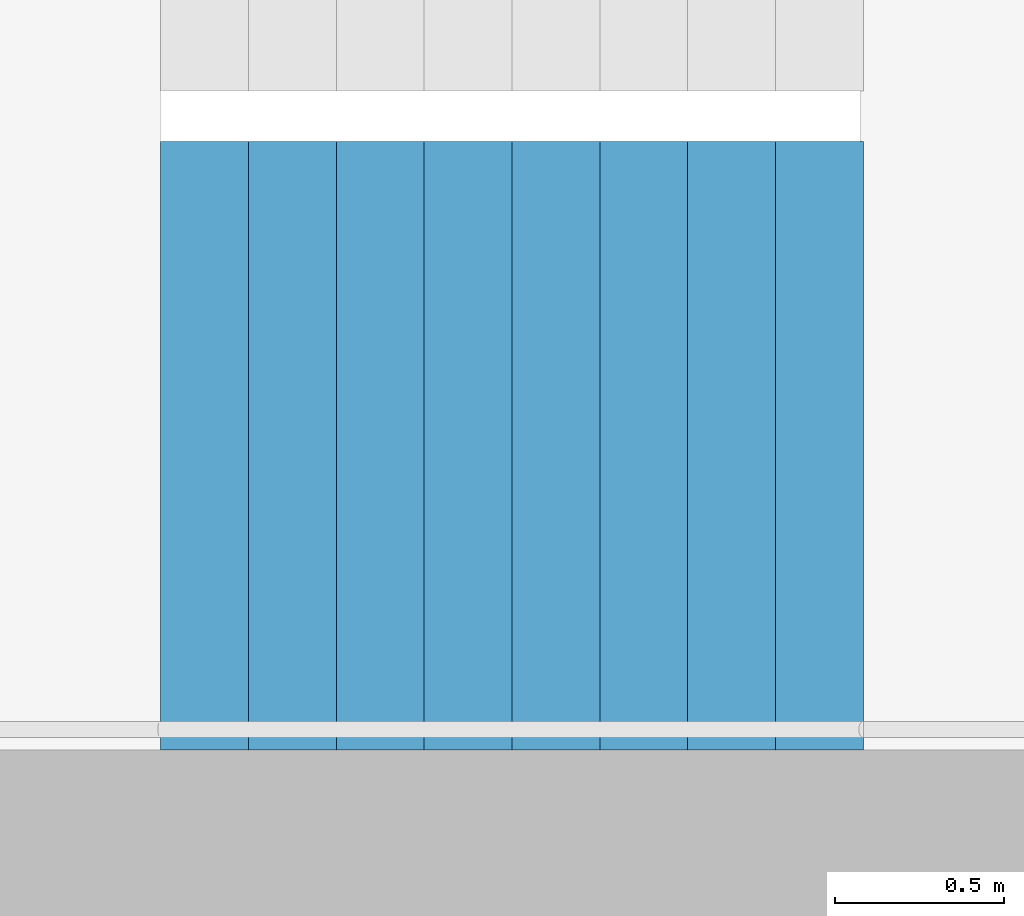
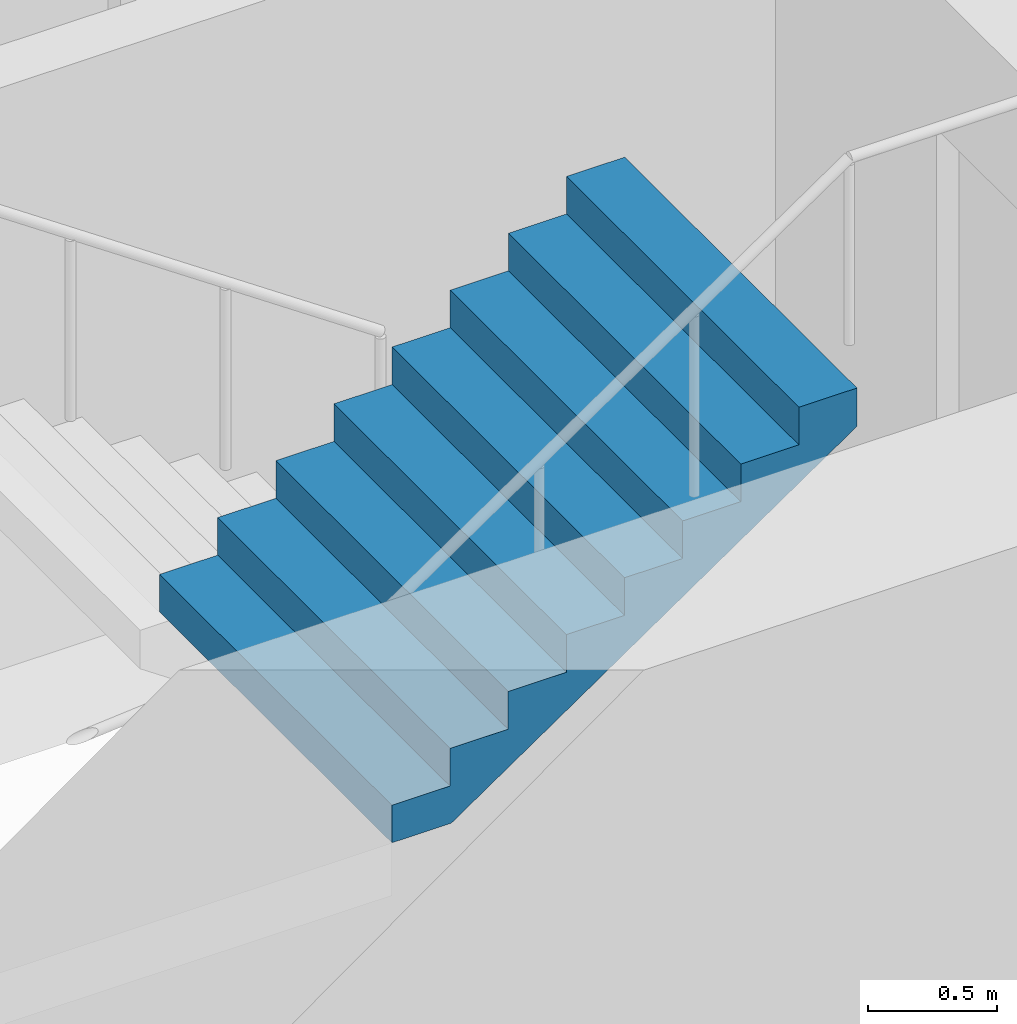
# One storey, part 19 of 27: 1 stair flight, 1 element without a shape of its own.
"""IFC4 building model written with IfcOpenShell, lengths in metres."""

from ifc_helpers import new_model, si_unit, direction, frame, origin, place, context, subcontext, project, spatial, triangles, material, type_object, element, aggregate, save


model = new_model("IFC4")

# Units and contexts
model_context = context("Model", 3, precision=1e-05, world=origin(), true_north=direction((0.0, 1.0)))
body_context = subcontext(model_context, "Body", "Model", "MODEL_VIEW")
ifc_project = project(units=[si_unit("LENGTHUNIT", "METRE"), si_unit("AREAUNIT", "SQUARE_METRE"), si_unit("VOLUMEUNIT", "CUBIC_METRE"), si_unit("PLANEANGLEUNIT", "RADIAN"), si_unit("MASSUNIT", "GRAM", prefix="KILO")], contexts=[model_context])

# Site, building, storey
site_placement = place(None, origin())
site = spatial("IfcSite", under=ifc_project, at=site_placement, CompositionType="ELEMENT")
building_placement = place(site_placement, origin())
building = spatial("IfcBuilding", under=site, at=building_placement, Name="Hakoniwa Tower and Hamabe Station Hall", CompositionType="ELEMENT")
storey_placement = place(building_placement, frame((0.0, 0.0, 261.39990234375)))
storey = spatial("IfcBuildingStorey", under=building, at=storey_placement, Name="L74", CompositionType="ELEMENT", Elevation=261.39990234375)

# Stair, stair flight
ifc_material_1 = material(Name="Concrete C40", Category="concrete")
stair_type = type_object("IfcStairType", Name="ESCAPE STAIR 1800", PredefinedType="HALF_TURN_STAIR", material=ifc_material_1)
stair_placement = place(storey_placement, origin())
stair = element("IfcStair", 1, at=stair_placement, inside=storey, type_object=stair_type, Name="Escape stair ST-2 L74", PredefinedType="HALF_TURN_STAIR")
ifc_material_2 = material(Name="Concrete C40", Category="concrete")
stair_flight_type = type_object("IfcStairFlightType", Name="STAIR FLIGHT 1800", PredefinedType="STRAIGHT", material=ifc_material_2)
stair_flight_placement = place(storey_placement, frame((-25.47998046875, -6.60009765625, 1.60009765625), z_axis=(0.0, 0.0, 1.0), x_axis=(1.0, 0.0, 0.0)))
stair_flight = element("IfcStairFlight", 2, at=stair_flight_placement, type_object=stair_flight_type, Name="ST-2 flight 2", NumberOfRisers=9, NumberOfTreads=8, PredefinedType="STRAIGHT", RiserHeight=0.177777778, TreadLength=0.26, context=body_context, shape_type="Tessellation", body=[
    triangles([(0.0, 0.89990234375, 0.0), (0.260009765625, 0.89990234375, 0.0), (0.265625, 0.89990234375, 0.0), (0.52001953125, 0.89990234375, 0.174072265625), (0.780029296875, 0.89990234375, 0.351806640625), (1.0400390625, 0.89990234375, 0.529541015625), (1.300048828125, 0.89990234375, 0.707275390625), (1.56005859375, 0.89990234375, 0.885009765625), (1.820068359375, 0.89990234375, 1.062744140625), (2.080078125, 0.89990234375, 1.24072265625), (2.080078125, 0.89990234375, 1.422119140625), (1.820068359375, 0.89990234375, 1.422119140625), (1.820068359375, 0.89990234375, 1.244384765625), (1.56005859375, 0.89990234375, 1.244384765625), (1.56005859375, 0.89990234375, 1.066650390625), (1.300048828125, 0.89990234375, 1.066650390625), (1.300048828125, 0.89990234375, 0.888916015625), (1.0400390625, 0.89990234375, 0.888916015625), (1.0400390625, 0.89990234375, 0.711181640625), (0.780029296875, 0.89990234375, 0.711181640625), (0.780029296875, 0.89990234375, 0.533447265625), (0.52001953125, 0.89990234375, 0.533447265625), (0.52001953125, 0.89990234375, 0.35546875), (0.265625, 0.89990234375, 0.35546875), (0.260009765625, 0.89990234375, 0.35546875), (0.260009765625, 0.89990234375, 0.177734375), (0.0, 0.89990234375, 0.177734375), (0.0, 0.06005859375, 0.0), (0.260009765625, 0.06005859375, 0.0), (0.265625, 0.06005859375, 0.0), (0.52001953125, 0.06005859375, 0.174072265625), (0.780029296875, 0.06005859375, 0.351806640625), (1.0400390625, 0.06005859375, 0.529541015625), (1.300048828125, 0.06005859375, 0.707275390625), (1.56005859375, 0.06005859375, 0.885009765625), (1.820068359375, 0.06005859375, 1.062744140625), (2.080078125, 0.06005859375, 1.24072265625), (2.080078125, 0.06005859375, 1.422119140625), (1.820068359375, 0.06005859375, 1.422119140625), (1.820068359375, 0.06005859375, 1.244384765625), (1.56005859375, 0.06005859375, 1.244384765625), (1.56005859375, 0.06005859375, 1.066650390625), (1.300048828125, 0.06005859375, 1.066650390625), (1.300048828125, 0.06005859375, 0.888916015625), (1.0400390625, 0.06005859375, 0.888916015625), (1.0400390625, 0.06005859375, 0.711181640625), (0.780029296875, 0.06005859375, 0.711181640625), (0.780029296875, 0.06005859375, 0.533447265625), (0.52001953125, 0.06005859375, 0.533447265625), (0.52001953125, 0.06005859375, 0.35546875), (0.265625, 0.06005859375, 0.35546875), (0.260009765625, 0.06005859375, 0.35546875), (0.260009765625, 0.06005859375, 0.177734375), (0.0, 0.06005859375, 0.177734375), (0.0, 0.04296875, 0.0), (0.260009765625, 0.04296875, 0.0), (0.265625, 0.04296875, 0.0), (0.52001953125, 0.04296875, 0.174072265625), (0.780029296875, 0.04296875, 0.351806640625), (1.0400390625, 0.04296875, 0.529541015625), (1.300048828125, 0.04296875, 0.707275390625), (1.56005859375, 0.04296875, 0.885009765625), (1.820068359375, 0.04296875, 1.062744140625), (2.080078125, 0.04296875, 1.24072265625), (2.080078125, 0.04296875, 1.422119140625), (1.820068359375, 0.04296875, 1.422119140625), (1.820068359375, 0.04296875, 1.244384765625), (1.56005859375, 0.04296875, 1.244384765625), (1.56005859375, 0.04296875, 1.066650390625), (1.300048828125, 0.04296875, 1.066650390625), (1.300048828125, 0.04296875, 0.888916015625), (1.0400390625, 0.04296875, 0.888916015625), (1.0400390625, 0.04296875, 0.711181640625), (0.780029296875, 0.04296875, 0.711181640625), (0.780029296875, 0.04296875, 0.533447265625), (0.52001953125, 0.04296875, 0.533447265625), (0.52001953125, 0.04296875, 0.35546875), (0.265625, 0.04296875, 0.35546875), (0.260009765625, 0.04296875, 0.35546875), (0.260009765625, 0.04296875, 0.177734375), (0.0, 0.04296875, 0.177734375), (0.0, 0.025634765625, 0.0), (0.260009765625, 0.025634765625, 0.0), (0.265625, 0.025634765625, 0.0), (0.52001953125, 0.025634765625, 0.174072265625), (0.780029296875, 0.025634765625, 0.351806640625), (1.0400390625, 0.025634765625, 0.529541015625), (1.300048828125, 0.025634765625, 0.707275390625), (1.56005859375, 0.025634765625, 0.885009765625), (1.820068359375, 0.025634765625, 1.062744140625), (2.080078125, 0.025634765625, 1.24072265625), (2.080078125, 0.025634765625, 1.422119140625), (1.820068359375, 0.025634765625, 1.422119140625), (1.820068359375, 0.025634765625, 1.244384765625), (1.56005859375, 0.025634765625, 1.244384765625), (1.56005859375, 0.025634765625, 1.066650390625), (1.300048828125, 0.025634765625, 1.066650390625), (1.300048828125, 0.025634765625, 0.888916015625), (1.0400390625, 0.025634765625, 0.888916015625), (1.0400390625, 0.025634765625, 0.711181640625), (0.780029296875, 0.025634765625, 0.711181640625), (0.780029296875, 0.025634765625, 0.533447265625), (0.52001953125, 0.025634765625, 0.533447265625), (0.52001953125, 0.025634765625, 0.35546875), (0.265625, 0.025634765625, 0.35546875), (0.260009765625, 0.025634765625, 0.35546875), (0.260009765625, 0.025634765625, 0.177734375), (0.0, 0.025634765625, 0.177734375), (0.0, 0.008544921875, 0.0), (0.260009765625, 0.008544921875, 0.0), (0.265625, 0.008544921875, 0.0), (0.52001953125, 0.008544921875, 0.174072265625), (0.780029296875, 0.008544921875, 0.351806640625), (1.0400390625, 0.008544921875, 0.529541015625), (1.300048828125, 0.008544921875, 0.707275390625), (1.56005859375, 0.008544921875, 0.885009765625), (1.820068359375, 0.008544921875, 1.062744140625), (2.080078125, 0.008544921875, 1.24072265625), (2.080078125, 0.008544921875, 1.422119140625), (1.820068359375, 0.008544921875, 1.422119140625), (1.820068359375, 0.008544921875, 1.244384765625), (1.56005859375, 0.008544921875, 1.244384765625), (1.56005859375, 0.008544921875, 1.066650390625), (1.300048828125, 0.008544921875, 1.066650390625), (1.300048828125, 0.008544921875, 0.888916015625), (1.0400390625, 0.008544921875, 0.888916015625), (1.0400390625, 0.008544921875, 0.711181640625), (0.780029296875, 0.008544921875, 0.711181640625), (0.780029296875, 0.008544921875, 0.533447265625), (0.52001953125, 0.008544921875, 0.533447265625), (0.52001953125, 0.008544921875, 0.35546875), (0.265625, 0.008544921875, 0.35546875), (0.260009765625, 0.008544921875, 0.35546875), (0.260009765625, 0.008544921875, 0.177734375), (0.0, 0.008544921875, 0.177734375), (0.0, -0.008544921875, 0.0), (0.260009765625, -0.008544921875, 0.0), (0.265625, -0.008544921875, 0.0), (0.52001953125, -0.008544921875, 0.174072265625), (0.780029296875, -0.008544921875, 0.351806640625), (1.0400390625, -0.008544921875, 0.529541015625), (1.300048828125, -0.008544921875, 0.707275390625), (1.56005859375, -0.008544921875, 0.885009765625), (1.820068359375, -0.008544921875, 1.062744140625), (2.080078125, -0.008544921875, 1.24072265625), (2.080078125, -0.008544921875, 1.422119140625), (1.820068359375, -0.008544921875, 1.422119140625), (1.820068359375, -0.008544921875, 1.244384765625), (1.56005859375, -0.008544921875, 1.244384765625), (1.56005859375, -0.008544921875, 1.066650390625), (1.300048828125, -0.008544921875, 1.066650390625), (1.300048828125, -0.008544921875, 0.888916015625), (1.0400390625, -0.008544921875, 0.888916015625), (1.0400390625, -0.008544921875, 0.711181640625), (0.780029296875, -0.008544921875, 0.711181640625), (0.780029296875, -0.008544921875, 0.533447265625), (0.52001953125, -0.008544921875, 0.533447265625), (0.52001953125, -0.008544921875, 0.35546875), (0.265625, -0.008544921875, 0.35546875), (0.260009765625, -0.008544921875, 0.35546875), (0.260009765625, -0.008544921875, 0.177734375), (0.0, -0.008544921875, 0.177734375), (0.0, -0.025634765625, 0.0), (0.260009765625, -0.025634765625, 0.0), (0.265625, -0.025634765625, 0.0), (0.52001953125, -0.025634765625, 0.174072265625), (0.780029296875, -0.025634765625, 0.351806640625), (1.0400390625, -0.025634765625, 0.529541015625), (1.300048828125, -0.025634765625, 0.707275390625), (1.56005859375, -0.025634765625, 0.885009765625), (1.820068359375, -0.025634765625, 1.062744140625), (2.080078125, -0.025634765625, 1.24072265625), (2.080078125, -0.025634765625, 1.422119140625), (1.820068359375, -0.025634765625, 1.422119140625), (1.820068359375, -0.025634765625, 1.244384765625), (1.56005859375, -0.025634765625, 1.244384765625), (1.56005859375, -0.025634765625, 1.066650390625), (1.300048828125, -0.025634765625, 1.066650390625), (1.300048828125, -0.025634765625, 0.888916015625), (1.0400390625, -0.025634765625, 0.888916015625), (1.0400390625, -0.025634765625, 0.711181640625), (0.780029296875, -0.025634765625, 0.711181640625), (0.780029296875, -0.025634765625, 0.533447265625), (0.52001953125, -0.025634765625, 0.533447265625), (0.52001953125, -0.025634765625, 0.35546875), (0.265625, -0.025634765625, 0.35546875), (0.260009765625, -0.025634765625, 0.35546875), (0.260009765625, -0.025634765625, 0.177734375), (0.0, -0.025634765625, 0.177734375), (0.0, -0.04296875, 0.0), (0.260009765625, -0.04296875, 0.0), (0.265625, -0.04296875, 0.0), (0.52001953125, -0.04296875, 0.174072265625), (0.780029296875, -0.04296875, 0.351806640625), (1.0400390625, -0.04296875, 0.529541015625), (1.300048828125, -0.04296875, 0.707275390625), (1.56005859375, -0.04296875, 0.885009765625), (1.820068359375, -0.04296875, 1.062744140625), (2.080078125, -0.04296875, 1.24072265625), (2.080078125, -0.04296875, 1.422119140625), (1.820068359375, -0.04296875, 1.422119140625), (1.820068359375, -0.04296875, 1.244384765625), (1.56005859375, -0.04296875, 1.244384765625), (1.56005859375, -0.04296875, 1.066650390625), (1.300048828125, -0.04296875, 1.066650390625), (1.300048828125, -0.04296875, 0.888916015625), (1.0400390625, -0.04296875, 0.888916015625), (1.0400390625, -0.04296875, 0.711181640625), (0.780029296875, -0.04296875, 0.711181640625), (0.780029296875, -0.04296875, 0.533447265625), (0.52001953125, -0.04296875, 0.533447265625), (0.52001953125, -0.04296875, 0.35546875), (0.265625, -0.04296875, 0.35546875), (0.260009765625, -0.04296875, 0.35546875), (0.260009765625, -0.04296875, 0.177734375), (0.0, -0.04296875, 0.177734375), (0.0, -0.06005859375, 0.0), (0.260009765625, -0.06005859375, 0.0), (0.265625, -0.06005859375, 0.0), (0.52001953125, -0.06005859375, 0.174072265625), (0.780029296875, -0.06005859375, 0.351806640625), (1.0400390625, -0.06005859375, 0.529541015625), (1.300048828125, -0.06005859375, 0.707275390625), (1.56005859375, -0.06005859375, 0.885009765625), (1.820068359375, -0.06005859375, 1.062744140625), (2.080078125, -0.06005859375, 1.24072265625), (2.080078125, -0.06005859375, 1.422119140625), (1.820068359375, -0.06005859375, 1.422119140625), (1.820068359375, -0.06005859375, 1.244384765625), (1.56005859375, -0.06005859375, 1.244384765625), (1.56005859375, -0.06005859375, 1.066650390625), (1.300048828125, -0.06005859375, 1.066650390625), (1.300048828125, -0.06005859375, 0.888916015625), (1.0400390625, -0.06005859375, 0.888916015625), (1.0400390625, -0.06005859375, 0.711181640625), (0.780029296875, -0.06005859375, 0.711181640625), (0.780029296875, -0.06005859375, 0.533447265625), (0.52001953125, -0.06005859375, 0.533447265625), (0.52001953125, -0.06005859375, 0.35546875), (0.265625, -0.06005859375, 0.35546875), (0.260009765625, -0.06005859375, 0.35546875), (0.260009765625, -0.06005859375, 0.177734375), (0.0, -0.06005859375, 0.177734375), (0.0, -0.89990234375, 0.0), (0.260009765625, -0.89990234375, 0.0), (0.265625, -0.89990234375, 0.0), (0.52001953125, -0.89990234375, 0.174072265625), (0.780029296875, -0.89990234375, 0.351806640625), (1.0400390625, -0.89990234375, 0.529541015625), (1.300048828125, -0.89990234375, 0.707275390625), (1.56005859375, -0.89990234375, 0.885009765625), (1.820068359375, -0.89990234375, 1.062744140625), (2.080078125, -0.89990234375, 1.24072265625), (2.080078125, -0.89990234375, 1.422119140625), (1.820068359375, -0.89990234375, 1.422119140625), (1.820068359375, -0.89990234375, 1.244384765625), (1.56005859375, -0.89990234375, 1.244384765625), (1.56005859375, -0.89990234375, 1.066650390625), (1.300048828125, -0.89990234375, 1.066650390625), (1.300048828125, -0.89990234375, 0.888916015625), (1.0400390625, -0.89990234375, 0.888916015625), (1.0400390625, -0.89990234375, 0.711181640625), (0.780029296875, -0.89990234375, 0.711181640625), (0.780029296875, -0.89990234375, 0.533447265625), (0.52001953125, -0.89990234375, 0.533447265625), (0.52001953125, -0.89990234375, 0.35546875), (0.265625, -0.89990234375, 0.35546875), (0.260009765625, -0.89990234375, 0.35546875), (0.260009765625, -0.89990234375, 0.177734375), (0.0, -0.89990234375, 0.177734375)], [[2, 27, 26], [245, 269, 270], [2, 1, 27], [245, 270, 244], [3, 25, 24], [246, 267, 268], [3, 26, 25], [246, 268, 269], [3, 2, 26], [246, 269, 245], [4, 24, 23], [247, 266, 267], [4, 3, 24], [247, 267, 246], [5, 22, 21], [248, 264, 265], [5, 23, 22], [248, 265, 266], [5, 4, 23], [248, 266, 247], [6, 20, 19], [249, 262, 263], [6, 21, 20], [249, 263, 264], [6, 5, 21], [249, 264, 248], [7, 18, 17], [250, 260, 261], [7, 19, 18], [250, 261, 262], [7, 6, 19], [250, 262, 249], [8, 16, 15], [251, 258, 259], [8, 17, 16], [251, 259, 260], [8, 7, 17], [251, 260, 250], [9, 14, 13], [252, 256, 257], [9, 15, 14], [252, 257, 258], [9, 8, 15], [252, 258, 251], [10, 12, 11], [253, 254, 255], [10, 13, 12], [253, 255, 256], [10, 9, 13], [253, 256, 252], [1, 2, 29], [1, 29, 28], [28, 29, 56], [28, 56, 55], [55, 56, 83], [55, 83, 82], [82, 83, 110], [82, 110, 109], [109, 110, 137], [109, 137, 136], [136, 137, 164], [136, 164, 163], [163, 164, 191], [163, 191, 190], [190, 191, 218], [190, 218, 217], [217, 218, 245], [217, 245, 244], [2, 3, 30], [2, 30, 29], [29, 30, 57], [29, 57, 56], [56, 57, 84], [56, 84, 83], [83, 84, 111], [83, 111, 110], [110, 111, 138], [110, 138, 137], [137, 138, 165], [137, 165, 164], [164, 165, 192], [164, 192, 191], [191, 192, 219], [191, 219, 218], [218, 219, 246], [218, 246, 245], [3, 4, 31], [3, 31, 30], [30, 31, 58], [30, 58, 57], [57, 58, 85], [57, 85, 84], [84, 85, 112], [84, 112, 111], [111, 112, 139], [111, 139, 138], [138, 139, 166], [138, 166, 165], [165, 166, 193], [165, 193, 192], [192, 193, 220], [192, 220, 219], [219, 220, 247], [219, 247, 246], [4, 5, 32], [4, 32, 31], [31, 32, 59], [31, 59, 58], [58, 59, 86], [58, 86, 85], [85, 86, 113], [85, 113, 112], [112, 113, 140], [112, 140, 139], [139, 140, 167], [139, 167, 166], [166, 167, 194], [166, 194, 193], [193, 194, 221], [193, 221, 220], [220, 221, 248], [220, 248, 247], [5, 6, 33], [5, 33, 32], [32, 33, 60], [32, 60, 59], [59, 60, 87], [59, 87, 86], [86, 87, 114], [86, 114, 113], [113, 114, 141], [113, 141, 140], [140, 141, 168], [140, 168, 167], [167, 168, 195], [167, 195, 194], [194, 195, 222], [194, 222, 221], [221, 222, 249], [221, 249, 248], [6, 7, 34], [6, 34, 33], [33, 34, 61], [33, 61, 60], [60, 61, 88], [60, 88, 87], [87, 88, 115], [87, 115, 114], [114, 115, 142], [114, 142, 141], [141, 142, 169], [141, 169, 168], [168, 169, 196], [168, 196, 195], [195, 196, 223], [195, 223, 222], [222, 223, 250], [222, 250, 249], [7, 8, 35], [7, 35, 34], [34, 35, 62], [34, 62, 61], [61, 62, 89], [61, 89, 88], [88, 89, 116], [88, 116, 115], [115, 116, 143], [115, 143, 142], [142, 143, 170], [142, 170, 169], [169, 170, 197], [169, 197, 196], [196, 197, 224], [196, 224, 223], [223, 224, 251], [223, 251, 250], [8, 9, 36], [8, 36, 35], [35, 36, 63], [35, 63, 62], [62, 63, 90], [62, 90, 89], [89, 90, 117], [89, 117, 116], [116, 117, 144], [116, 144, 143], [143, 144, 171], [143, 171, 170], [170, 171, 198], [170, 198, 197], [197, 198, 225], [197, 225, 224], [224, 225, 252], [224, 252, 251], [9, 10, 37], [9, 37, 36], [36, 37, 64], [36, 64, 63], [63, 64, 91], [63, 91, 90], [90, 91, 118], [90, 118, 117], [117, 118, 145], [117, 145, 144], [144, 145, 172], [144, 172, 171], [171, 172, 199], [171, 199, 198], [198, 199, 226], [198, 226, 225], [225, 226, 253], [225, 253, 252], [10, 11, 38], [10, 38, 37], [37, 38, 65], [37, 65, 64], [64, 65, 92], [64, 92, 91], [91, 92, 119], [91, 119, 118], [118, 119, 146], [118, 146, 145], [145, 146, 173], [145, 173, 172], [172, 173, 200], [172, 200, 199], [199, 200, 227], [199, 227, 226], [226, 227, 254], [226, 254, 253], [11, 12, 39], [11, 39, 38], [38, 39, 66], [38, 66, 65], [65, 66, 93], [65, 93, 92], [92, 93, 120], [92, 120, 119], [119, 120, 147], [119, 147, 146], [146, 147, 174], [146, 174, 173], [173, 174, 201], [173, 201, 200], [200, 201, 228], [200, 228, 227], [227, 228, 255], [227, 255, 254], [12, 13, 40], [12, 40, 39], [39, 40, 67], [39, 67, 66], [66, 67, 94], [66, 94, 93], [93, 94, 121], [93, 121, 120], [120, 121, 148], [120, 148, 147], [147, 148, 175], [147, 175, 174], [174, 175, 202], [174, 202, 201], [201, 202, 229], [201, 229, 228], [228, 229, 256], [228, 256, 255], [13, 14, 41], [13, 41, 40], [40, 41, 68], [40, 68, 67], [67, 68, 95], [67, 95, 94], [94, 95, 122], [94, 122, 121], [121, 122, 149], [121, 149, 148], [148, 149, 176], [148, 176, 175], [175, 176, 203], [175, 203, 202], [202, 203, 230], [202, 230, 229], [229, 230, 257], [229, 257, 256], [14, 15, 42], [14, 42, 41], [41, 42, 69], [41, 69, 68], [68, 69, 96], [68, 96, 95], [95, 96, 123], [95, 123, 122], [122, 123, 150], [122, 150, 149], [149, 150, 177], [149, 177, 176], [176, 177, 204], [176, 204, 203], [203, 204, 231], [203, 231, 230], [230, 231, 258], [230, 258, 257], [15, 16, 43], [15, 43, 42], [42, 43, 70], [42, 70, 69], [69, 70, 97], [69, 97, 96], [96, 97, 124], [96, 124, 123], [123, 124, 151], [123, 151, 150], [150, 151, 178], [150, 178, 177], [177, 178, 205], [177, 205, 204], [204, 205, 232], [204, 232, 231], [231, 232, 259], [231, 259, 258], [16, 17, 44], [16, 44, 43], [43, 44, 71], [43, 71, 70], [70, 71, 98], [70, 98, 97], [97, 98, 125], [97, 125, 124], [124, 125, 152], [124, 152, 151], [151, 152, 179], [151, 179, 178], [178, 179, 206], [178, 206, 205], [205, 206, 233], [205, 233, 232], [232, 233, 260], [232, 260, 259], [17, 18, 45], [17, 45, 44], [44, 45, 72], [44, 72, 71], [71, 72, 99], [71, 99, 98], [98, 99, 126], [98, 126, 125], [125, 126, 153], [125, 153, 152], [152, 153, 180], [152, 180, 179], [179, 180, 207], [179, 207, 206], [206, 207, 234], [206, 234, 233], [233, 234, 261], [233, 261, 260], [18, 19, 46], [18, 46, 45], [45, 46, 73], [45, 73, 72], [72, 73, 100], [72, 100, 99], [99, 100, 127], [99, 127, 126], [126, 127, 154], [126, 154, 153], [153, 154, 181], [153, 181, 180], [180, 181, 208], [180, 208, 207], [207, 208, 235], [207, 235, 234], [234, 235, 262], [234, 262, 261], [19, 20, 47], [19, 47, 46], [46, 47, 74], [46, 74, 73], [73, 74, 101], [73, 101, 100], [100, 101, 128], [100, 128, 127], [127, 128, 155], [127, 155, 154], [154, 155, 182], [154, 182, 181], [181, 182, 209], [181, 209, 208], [208, 209, 236], [208, 236, 235], [235, 236, 263], [235, 263, 262], [20, 21, 48], [20, 48, 47], [47, 48, 75], [47, 75, 74], [74, 75, 102], [74, 102, 101], [101, 102, 129], [101, 129, 128], [128, 129, 156], [128, 156, 155], [155, 156, 183], [155, 183, 182], [182, 183, 210], [182, 210, 209], [209, 210, 237], [209, 237, 236], [236, 237, 264], [236, 264, 263], [21, 22, 49], [21, 49, 48], [48, 49, 76], [48, 76, 75], [75, 76, 103], [75, 103, 102], [102, 103, 130], [102, 130, 129], [129, 130, 157], [129, 157, 156], [156, 157, 184], [156, 184, 183], [183, 184, 211], [183, 211, 210], [210, 211, 238], [210, 238, 237], [237, 238, 265], [237, 265, 264], [22, 23, 50], [22, 50, 49], [49, 50, 77], [49, 77, 76], [76, 77, 104], [76, 104, 103], [103, 104, 131], [103, 131, 130], [130, 131, 158], [130, 158, 157], [157, 158, 185], [157, 185, 184], [184, 185, 212], [184, 212, 211], [211, 212, 239], [211, 239, 238], [238, 239, 266], [238, 266, 265], [23, 24, 51], [23, 51, 50], [50, 51, 78], [50, 78, 77], [77, 78, 105], [77, 105, 104], [104, 105, 132], [104, 132, 131], [131, 132, 159], [131, 159, 158], [158, 159, 186], [158, 186, 185], [185, 186, 213], [185, 213, 212], [212, 213, 240], [212, 240, 239], [239, 240, 267], [239, 267, 266], [24, 25, 52], [24, 52, 51], [51, 52, 79], [51, 79, 78], [78, 79, 106], [78, 106, 105], [105, 106, 133], [105, 133, 132], [132, 133, 160], [132, 160, 159], [159, 160, 187], [159, 187, 186], [186, 187, 214], [186, 214, 213], [213, 214, 241], [213, 241, 240], [240, 241, 268], [240, 268, 267], [25, 26, 53], [25, 53, 52], [52, 53, 80], [52, 80, 79], [79, 80, 107], [79, 107, 106], [106, 107, 134], [106, 134, 133], [133, 134, 161], [133, 161, 160], [160, 161, 188], [160, 188, 187], [187, 188, 215], [187, 215, 214], [214, 215, 242], [214, 242, 241], [241, 242, 269], [241, 269, 268], [26, 27, 54], [26, 54, 53], [53, 54, 81], [53, 81, 80], [80, 81, 108], [80, 108, 107], [107, 108, 135], [107, 135, 134], [134, 135, 162], [134, 162, 161], [161, 162, 189], [161, 189, 188], [188, 189, 216], [188, 216, 215], [215, 216, 243], [215, 243, 242], [242, 243, 270], [242, 270, 269], [27, 1, 28], [27, 28, 54], [54, 28, 55], [54, 55, 81], [81, 55, 82], [81, 82, 108], [108, 82, 109], [108, 109, 135], [135, 109, 136], [135, 136, 162], [162, 136, 163], [162, 163, 189], [189, 163, 190], [189, 190, 216], [216, 190, 217], [216, 217, 243], [243, 217, 244], [243, 244, 270]], closed=True),
])
aggregate(stair, [stair_flight])

save(model, "model.ifc")
